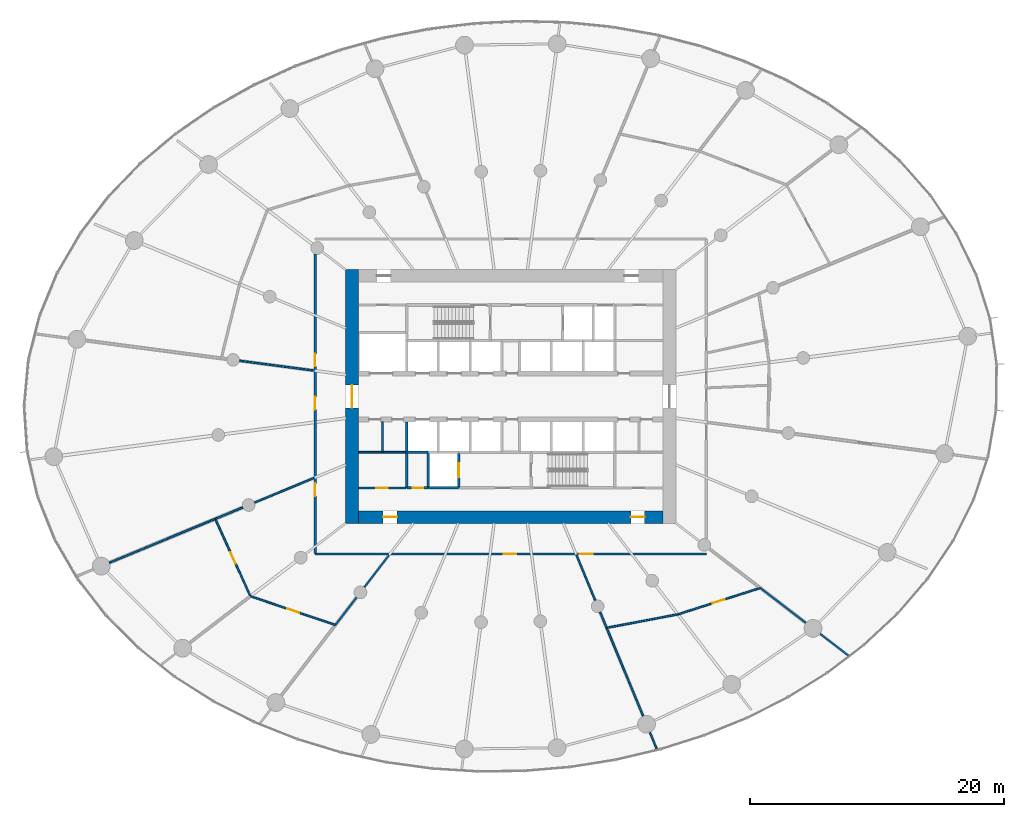
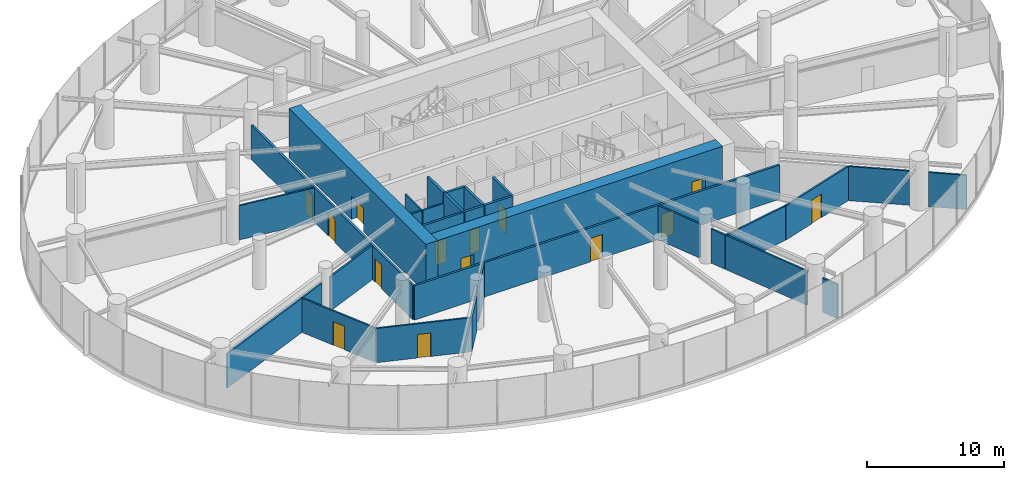
# One storey, part 12 of 19: 31 walls, 14 doors, 14 openings.
"""IFC4 building model written with IfcOpenShell, lengths in metres."""

from ifc_helpers import new_model, si_unit, direction, frame, frame_2d, origin, place, context, subcontext, project, spatial, rectangle, extrude, source, transform, mapped, material, layer, layer_set, type_object, element, fill, save


model = new_model("IFC4")

# Units and contexts
model_context = context("Model", 3, precision=1e-05, world=origin(), true_north=direction((0.0, 1.0)))
body_context = subcontext(model_context, "Body", "Model", "MODEL_VIEW")
ifc_project = project(units=[si_unit("LENGTHUNIT", "METRE"), si_unit("AREAUNIT", "SQUARE_METRE"), si_unit("VOLUMEUNIT", "CUBIC_METRE"), si_unit("PLANEANGLEUNIT", "RADIAN"), si_unit("MASSUNIT", "GRAM", prefix="KILO")], contexts=[model_context])

# Site, building, storey
site_placement = place(None, origin())
site = spatial("IfcSite", under=ifc_project, at=site_placement, CompositionType="ELEMENT")
building_placement = place(site_placement, origin())
building = spatial("IfcBuilding", under=site, at=building_placement, Name="Spindrift Exchange Tower", CompositionType="ELEMENT")
storey_placement = place(building_placement, frame((0.0, 0.0, 31.39990234375)))
storey = spatial("IfcBuildingStorey", under=building, at=storey_placement, Name="L07", CompositionType="ELEMENT", Elevation=31.39990234375)

# Wall, opening, door
ifc_material_1 = material(Name="Concrete 80 MPa", Category="concrete")
ifc_layer_1 = layer(ifc_material_1, 1.0)
ifc_layer_set_1 = layer_set([ifc_layer_1], Name="RC Core Wall 1000 Concrete 80 MPa")
wall_type_1 = type_object("IfcWallType", Name="RC Core Wall 1000 Concrete 80 MPa", PredefinedType="SHEAR", material=ifc_layer_set_1)
wall_1_placement = place(storey_placement, frame((39.5, 58.0, 0.0), z_axis=(0.0, 0.0, 1.0), x_axis=(0.0, -1.0, 0.0)))
wall_1 = element("IfcWall", 1, at=wall_1_placement, inside=storey, type_object=wall_type_1, Name="Core wall W L07", PredefinedType="SHEAR", context=body_context, shape_type="SweptSolid", body=[
    extrude(rectangle(XDim=20.0, YDim=1.0, at=frame_2d((10.0, 0.0))), origin(), (0.0, 0.0, 1.0), 4.400146484375),
])
opening_1_placement = place(wall_1_placement, frame((9.10009765625, 0.0, 0.0)))
opening_1 = element("IfcOpeningElement", 2, at=opening_1_placement, cuts=wall_1, Name="Opening L07-D1", PredefinedType="OPENING", context=body_context, shape_type="SweptSolid", body=[
    extrude(rectangle(XDim=1.800048828125, YDim=2.10009765625, at=frame_2d((0.89990234375, 1.050048828125))), frame((0.0, 0.510009765625, 0.0), z_axis=(0.0, -1.0, 0.0), x_axis=(1.0, 0.0, 0.0)), (0.0, 0.0, 1.0), 1.02001953125),
])
ifc_material_2 = material(Name="Timber-core fire door", Category="wood")
door_type_1 = type_object("IfcDoorType", Name="DR-LOBBY-1800", OperationType="NOTDEFINED", PredefinedType="DOOR", material=ifc_material_2)
shared_shape_1 = source(origin(), body_context, "Body", "SweptSolid", [
    extrude(rectangle(XDim=1.800048828125, YDim=2.10009765625, at=frame_2d((0.89990234375, 1.050048828125))), frame((0.0, 0.02490234375, 0.0), z_axis=(0.0, -1.0, 0.0), x_axis=(1.0, 0.0, 0.0)), (0.0, 0.0, 1.0), 0.050048828125),
])
door_1_placement = place(opening_1_placement, origin())
door_1 = element("IfcDoor", 3, at=door_1_placement, inside=storey, type_object=door_type_1, Name="L07 Lobby door 1", OperationType="SINGLE_SWING_LEFT", OverallHeight=2.10009765625, OverallWidth=1.800048828125, PredefinedType="DOOR", context=body_context, shape_type="MappedRepresentation", body=[
    mapped(shared_shape_1, transform((0.0, 0.0, 0.0), scale=1.0)),
])
fill(opening_1, door_1)

# Wall, openings, doors
wall_2_placement = place(storey_placement, frame((40.0, 38.5, 0.0), z_axis=(0.0, 0.0, 1.0), x_axis=(1.0, 0.0, 0.0)))
wall_2 = element("IfcWall", 4, at=wall_2_placement, inside=storey, type_object=wall_type_1, Name="Core wall S L07", PredefinedType="SHEAR", context=body_context, shape_type="SweptSolid", body=[
    extrude(rectangle(XDim=24.0, YDim=1.0, at=frame_2d((12.0, 0.0))), origin(), (0.0, 0.0, 1.0), 4.400146484375),
])
opening_2_placement = place(wall_2_placement, frame((21.449951171875, 0.0, 0.0)))
opening_2 = element("IfcOpeningElement", 5, at=opening_2_placement, cuts=wall_2, Name="Opening L07-D22", PredefinedType="OPENING", context=body_context, shape_type="SweptSolid", body=[
    extrude(rectangle(XDim=1.10009765625, YDim=2.10009765625, at=frame_2d((0.550048828125, 1.050048828125))), frame((0.0, 0.510009765625, 0.0), z_axis=(0.0, -1.0, 0.0), x_axis=(1.0, 0.0, 0.0)), (0.0, 0.0, 1.0), 1.02001953125),
])
opening_3_placement = place(wall_2_placement, frame((1.949951171875, 0.0, 0.0)))
opening_3 = element("IfcOpeningElement", 6, at=opening_3_placement, cuts=wall_2, Name="Opening L07-D23", PredefinedType="OPENING", context=body_context, shape_type="SweptSolid", body=[
    extrude(rectangle(XDim=1.10009765625, YDim=2.10009765625, at=frame_2d((0.550048828125, 1.050048828125))), frame((0.0, 0.510009765625, 0.0), z_axis=(0.0, -1.0, 0.0), x_axis=(1.0, 0.0, 0.0)), (0.0, 0.0, 1.0), 1.02001953125),
])
ifc_material_3 = material(Name="Steel fire door", Category="steel")
door_type_2 = type_object("IfcDoorType", Name="DR-STAIR-1100", OperationType="NOTDEFINED", PredefinedType="DOOR", material=ifc_material_3)
shared_shape_2 = source(origin(), body_context, "Body", "SweptSolid", [
    extrude(rectangle(XDim=1.10009765625, YDim=2.10009765625, at=frame_2d((0.550048828125, 1.050048828125))), frame((0.0, 0.02490234375, 0.0), z_axis=(0.0, -1.0, 0.0), x_axis=(1.0, 0.0, 0.0)), (0.0, 0.0, 1.0), 0.050048828125),
])
door_2_placement = place(opening_2_placement, origin())
door_2 = element("IfcDoor", 7, at=door_2_placement, inside=storey, type_object=door_type_2, Name="L07 Stair door 22", OperationType="SINGLE_SWING_RIGHT", OverallHeight=2.10009765625, OverallWidth=1.10009765625, PredefinedType="DOOR", context=body_context, shape_type="MappedRepresentation", body=[
    mapped(shared_shape_2, transform((0.0, 0.0, 0.0), scale=1.0)),
])
fill(opening_2, door_2)
door_3_placement = place(opening_3_placement, origin())
door_3 = element("IfcDoor", 8, at=door_3_placement, inside=storey, type_object=door_type_2, Name="L07 Stair door 23", OperationType="SINGLE_SWING_LEFT", OverallHeight=2.10009765625, OverallWidth=1.10009765625, PredefinedType="DOOR", context=body_context, shape_type="MappedRepresentation", body=[
    mapped(shared_shape_2, transform((0.0, 0.0, 0.0), scale=1.0)),
])
fill(opening_3, door_3)

# Wall, opening, door
ifc_material_4 = material(Name="Fire-rated plasterboard partition", Category="gypsum")
ifc_layer_2 = layer(ifc_material_4, 0.179931640625)
ifc_layer_set_2 = layer_set([ifc_layer_2], Name="W-CORR-180")
wall_type_2 = type_object("IfcWallType", Name="W-CORR-180", PredefinedType="PARTITIONING", material=ifc_layer_set_2)
wall_3_placement = place(storey_placement, frame((40.02001953125, 40.800048828125, 0.0), z_axis=(0.0, 0.0, 1.0), x_axis=(1.0, 0.0, 0.0)))
wall_3 = element("IfcWall", 9, at=wall_3_placement, inside=storey, type_object=wall_type_2, Name="L07 Partition wall 61", PredefinedType="PARTITIONING", context=body_context, shape_type="SweptSolid", body=[
    extrude(rectangle(XDim=3.75, YDim=0.179931640625, at=frame_2d((1.875, 0.0))), origin(), (0.0, 0.0, 1.0), 3.9501953125),
])
opening_4_placement = place(wall_3_placement, frame((1.39990234375, 0.0, 0.0)))
opening_4 = element("IfcOpeningElement", 10, at=opening_4_placement, cuts=wall_3, Name="Opening L07-D44", PredefinedType="OPENING", context=body_context, shape_type="SweptSolid", body=[
    extrude(rectangle(XDim=0.89990234375, YDim=2.10009765625, at=frame_2d((0.449951171875, 1.050048828125))), frame((0.0, 0.099853515625, 0.0), z_axis=(0.0, -1.0, 0.0), x_axis=(1.0, 0.0, 0.0)), (0.0, 0.0, 1.0), 0.199951171875),
])
ifc_material_5 = material(Name="Steel access door", Category="steel")
door_type_3 = type_object("IfcDoorType", Name="DR-RISER-900", OperationType="NOTDEFINED", PredefinedType="DOOR", material=ifc_material_5)
shared_shape_3 = source(origin(), body_context, "Body", "SweptSolid", [
    extrude(rectangle(XDim=0.89990234375, YDim=2.10009765625, at=frame_2d((0.449951171875, 1.050048828125))), frame((0.0, 0.02490234375, 0.0), z_axis=(0.0, -1.0, 0.0), x_axis=(1.0, 0.0, 0.0)), (0.0, 0.0, 1.0), 0.050048828125),
])
door_4_placement = place(opening_4_placement, origin())
door_4 = element("IfcDoor", 11, at=door_4_placement, inside=storey, type_object=door_type_3, Name="L07 Riser door 44", OperationType="SINGLE_SWING_RIGHT", OverallHeight=2.10009765625, OverallWidth=0.89990234375, PredefinedType="DOOR", context=body_context, shape_type="MappedRepresentation", body=[
    mapped(shared_shape_3, transform((0.0, 0.0, 0.0), scale=1.0)),
])
fill(opening_4, door_4)

# Walls
ifc_layer_3 = layer(ifc_material_4, 0.139892578125)
ifc_layer_set_3 = layer_set([ifc_layer_3], Name="W-PART-140")
wall_type_3 = type_object("IfcWallType", Name="W-PART-140", PredefinedType="PARTITIONING", material=ifc_layer_set_3)
wall_4_placement = place(storey_placement, frame((28.732666015625, 38.3623046875, 0.0), z_axis=(0.0, 0.0, 1.0), x_axis=(-0.923883179435, -0.382674627794, 0.0)))
element("IfcWall", 12, at=wall_4_placement, inside=storey, type_object=wall_type_3, Name="L07 Partition wall 67", PredefinedType="PARTITIONING", context=body_context, shape_type="SweptSolid", body=[
    extrude(rectangle(XDim=9.0166015625, YDim=0.139892578125, at=frame_2d((4.50830078125, 0.0))), origin(), (0.0, 0.0, 1.0), 3.050048828125),
])
wall_5_placement = place(storey_placement, frame((59.54638671875, 29.78125, 0.0), z_axis=(0.0, 0.0, 1.0), x_axis=(0.382684835198, -0.923878951438, 0.0)))
element("IfcWall", 13, at=wall_5_placement, inside=storey, type_object=wall_type_3, Name="L07 Partition wall 69", PredefinedType="PARTITIONING", context=body_context, shape_type="SweptSolid", body=[
    extrude(rectangle(XDim=7.51025390625, YDim=0.139892578125, at=frame_2d((3.755126953125, 0.0))), origin(), (0.0, 0.0, 1.0), 3.050048828125),
])

# Wall, opening, door
wall_6_placement = place(storey_placement, frame((38.192626953125, 30.006103515625, 0.0), z_axis=(0.0, 0.0, 1.0), x_axis=(-0.947190130732, 0.320672506219, 0.0)))
wall_6 = element("IfcWall", 14, at=wall_6_placement, inside=storey, type_object=wall_type_3, Name="L07 Partition wall 72", PredefinedType="PARTITIONING", context=body_context, shape_type="SweptSolid", body=[
    extrude(rectangle(XDim=7.063720703125, YDim=0.139892578125, at=frame_2d((3.53173828125, 0.0))), origin(), (0.0, 0.0, 1.0), 3.050048828125),
])
opening_5_placement = place(wall_6_placement, frame((3.013916015625, 0.0, 0.0)))
opening_5 = element("IfcOpeningElement", 15, at=opening_5_placement, cuts=wall_6, Name="Opening L07-D38", PredefinedType="OPENING", context=body_context, shape_type="SweptSolid", body=[
    extrude(rectangle(XDim=1.0, YDim=2.10009765625, at=frame_2d((0.5, 1.050048828125))), frame((0.0, 0.079833984375, 0.0), z_axis=(0.0, -1.0, 0.0), x_axis=(1.0, 0.0, 0.0)), (0.0, 0.0, 1.0), 0.159912109375),
])
door_type_4 = type_object("IfcDoorType", Name="DR-ROOM-1000", OperationType="NOTDEFINED", PredefinedType="DOOR", material=ifc_material_2)
shared_shape_4 = source(origin(), body_context, "Body", "SweptSolid", [
    extrude(rectangle(XDim=1.0, YDim=2.10009765625, at=frame_2d((0.5, 1.050048828125))), frame((0.0, 0.02490234375, 0.0), z_axis=(0.0, -1.0, 0.0), x_axis=(1.0, 0.0, 0.0)), (0.0, 0.0, 1.0), 0.050048828125),
])
door_5_placement = place(opening_5_placement, origin())
door_5 = element("IfcDoor", 16, at=door_5_placement, inside=storey, type_object=door_type_4, Name="L07 Door 38", OperationType="SINGLE_SWING_RIGHT", OverallHeight=2.10009765625, OverallWidth=1.0, PredefinedType="DOOR", context=body_context, shape_type="MappedRepresentation", body=[
    mapped(shared_shape_4, transform((0.0, 0.0, 0.0), scale=1.0)),
])
fill(opening_5, door_5)

wall_7_placement = place(storey_placement, frame((31.489501953125, 32.298583984375, 0.0), z_axis=(0.0, 0.0, 1.0), x_axis=(-0.413875066619, 0.910333691144, 0.0)))
wall_7 = element("IfcWall", 17, at=wall_7_placement, inside=storey, type_object=wall_type_3, Name="L07 Partition wall 76", PredefinedType="PARTITIONING", context=body_context, shape_type="SweptSolid", body=[
    extrude(rectangle(XDim=6.630859375, YDim=0.139892578125, at=frame_2d((3.3154296875, 0.0))), origin(), (0.0, 0.0, 1.0), 3.050048828125),
])
opening_6_placement = place(wall_7_placement, frame((2.781005859375, 0.0, 0.0)))
opening_6 = element("IfcOpeningElement", 18, at=opening_6_placement, cuts=wall_7, Name="Opening L07-D37", PredefinedType="OPENING", context=body_context, shape_type="SweptSolid", body=[
    extrude(rectangle(XDim=1.0, YDim=2.10009765625, at=frame_2d((0.5, 1.050048828125))), frame((0.0, 0.079833984375, 0.0), z_axis=(0.0, -1.0, 0.0), x_axis=(1.0, 0.0, 0.0)), (0.0, 0.0, 1.0), 0.159912109375),
])
door_6_placement = place(opening_6_placement, origin())
door_6 = element("IfcDoor", 19, at=door_6_placement, inside=storey, type_object=door_type_4, Name="L07 Door 37", OperationType="SINGLE_SWING_LEFT", OverallHeight=2.10009765625, OverallWidth=1.0, PredefinedType="DOOR", context=body_context, shape_type="MappedRepresentation", body=[
    mapped(shared_shape_4, transform((0.0, 0.0, 0.0), scale=1.0)),
])
fill(opening_6, door_6)

# Walls
wall_8_placement = place(storey_placement, frame((36.510009765625, 41.583740234375, 0.0), z_axis=(0.0, 0.0, 1.0), x_axis=(-0.923890025086, -0.382658100067, 0.0)))
element("IfcWall", 20, at=wall_8_placement, inside=storey, type_object=wall_type_3, Name="L07 Partition wall 89", PredefinedType="PARTITIONING", context=body_context, shape_type="SweptSolid", body=[
    extrude(rectangle(XDim=5.068359375, YDim=0.139892578125, at=frame_2d((2.5341796875, 0.0))), origin(), (0.0, 0.0, 1.0), 3.050048828125),
])
wall_9_placement = place(storey_placement, frame((71.66748046875, 32.908447265625, 0.0), z_axis=(0.0, 0.0, 1.0), x_axis=(0.793390880135, -0.608712503009, 0.0)))
element("IfcWall", 21, at=wall_9_placement, inside=storey, type_object=wall_type_3, Name="L07 Partition wall 92", PredefinedType="PARTITIONING", context=body_context, shape_type="SweptSolid", body=[
    extrude(rectangle(XDim=4.50537109375, YDim=0.139892578125, at=frame_2d((2.252685546875, 0.0))), origin(), (0.0, 0.0, 1.0), 3.050048828125),
])
wall_10_placement = place(storey_placement, frame((42.416015625, 35.510009765625, 0.0), z_axis=(0.0, 0.0, 1.0), x_axis=(-0.60874605662, -0.793365135703, 0.0)))
element("IfcWall", 22, at=wall_10_placement, inside=storey, type_object=wall_type_3, Name="L07 Partition wall 101", PredefinedType="PARTITIONING", context=body_context, shape_type="SweptSolid", body=[
    extrude(rectangle(XDim=3.193603515625, YDim=0.139892578125, at=frame_2d((1.5966796875, 0.0))), origin(), (0.0, 0.0, 1.0), 3.050048828125),
])
wall_11_placement = place(storey_placement, frame((76.359375, 29.30859375, 0.0), z_axis=(0.0, 0.0, 1.0), x_axis=(0.793282017179, -0.608854367826, 0.0)))
element("IfcWall", 23, at=wall_11_placement, inside=storey, type_object=wall_type_3, Name="L07 Partition wall 102", PredefinedType="PARTITIONING", context=body_context, shape_type="SweptSolid", body=[
    extrude(rectangle(XDim=2.811767578125, YDim=0.139892578125, at=frame_2d((1.40576171875, 0.0))), origin(), (0.0, 0.0, 1.0), 3.050048828125),
])
wall_12_placement = place(storey_placement, frame((39.85791015625, 32.176025390625, 0.0), z_axis=(0.0, 0.0, 1.0), x_axis=(-0.608785764782, -0.793334666202, 0.0)))
element("IfcWall", 24, at=wall_12_placement, inside=storey, type_object=wall_type_3, Name="L07 Partition wall 103", PredefinedType="PARTITIONING", context=body_context, shape_type="SweptSolid", body=[
    extrude(rectangle(XDim=2.705322265625, YDim=0.139892578125, at=frame_2d((1.3525390625, 0.0))), origin(), (0.0, 0.0, 1.0), 3.050048828125),
])
wall_13_placement = place(storey_placement, frame((41.89990234375, 43.60009765625, 0.0), z_axis=(0.0, 0.0, 1.0), x_axis=(0.0, 1.0, 0.0)))
element("IfcWall", 25, at=wall_13_placement, inside=storey, type_object=wall_type_3, Name="L07 Partition wall 106", PredefinedType="PARTITIONING", context=body_context, shape_type="SweptSolid", body=[
    extrude(rectangle(XDim=2.389892578125, YDim=0.139892578125, at=frame_2d((1.19482421875, 0.0))), origin(), (0.0, 0.0, 1.0), 3.050048828125),
])
wall_14_placement = place(storey_placement, frame((30.89404296875, 39.2578125, 0.0), z_axis=(0.0, 0.0, 1.0), x_axis=(-0.923850624014, -0.382753216196, 0.0)))
element("IfcWall", 26, at=wall_14_placement, inside=storey, type_object=wall_type_3, Name="L07 Partition wall 108", PredefinedType="PARTITIONING", context=body_context, shape_type="SweptSolid", body=[
    extrude(rectangle(XDim=2.3095703125, YDim=0.139892578125, at=frame_2d((1.15478515625, 0.0))), origin(), (0.0, 0.0, 1.0), 3.050048828125),
])
wall_15_placement = place(storey_placement, frame((43.77001953125, 43.60009765625, 0.0), z_axis=(0.0, 0.0, 1.0), x_axis=(-1.0, 0.0, 0.0)))
element("IfcWall", 27, at=wall_15_placement, inside=storey, type_object=wall_type_3, Name="L07 Partition wall 109", PredefinedType="PARTITIONING", context=body_context, shape_type="SweptSolid", body=[
    extrude(rectangle(XDim=1.840087890625, YDim=0.139892578125, at=frame_2d((0.919921875, 0.0))), origin(), (0.0, 0.0, 1.0), 3.050048828125),
])
wall_16_placement = place(storey_placement, frame((41.8701171875, 43.60009765625, 0.0), z_axis=(0.0, 0.0, 1.0), x_axis=(-1.0, 0.0, 0.0)))
element("IfcWall", 28, at=wall_16_placement, inside=storey, type_object=wall_type_3, Name="L07 Partition wall 111", PredefinedType="PARTITIONING", context=body_context, shape_type="SweptSolid", body=[
    extrude(rectangle(XDim=1.85009765625, YDim=0.139892578125, at=frame_2d((0.925048828125, 0.0))), origin(), (0.0, 0.0, 1.0), 3.050048828125),
])
wall_17_placement = place(storey_placement, frame((62.960205078125, 21.5400390625, 0.0), z_axis=(0.0, 0.0, 1.0), x_axis=(0.382579541027, -0.923922558869, 0.0)))
element("IfcWall", 29, at=wall_17_placement, inside=storey, type_object=wall_type_3, Name="L07 Partition wall 116", PredefinedType="PARTITIONING", context=body_context, shape_type="SweptSolid", body=[
    extrude(rectangle(XDim=1.388671875, YDim=0.139892578125, at=frame_2d((0.6943359375, 0.0))), origin(), (0.0, 0.0, 1.0), 3.050048828125),
])

# Wall, opening, door
ifc_layer_4 = layer(ifc_material_4, 0.139892578125)
ifc_layer_set_4 = layer_set([ifc_layer_4], Name="W-PLANT-140")
wall_type_4 = type_object("IfcWallType", Name="W-PLANT-140", PredefinedType="PARTITIONING", material=ifc_layer_set_4)
wall_18_placement = place(storey_placement, frame((71.643798828125, 32.9267578125, 0.0), z_axis=(0.0, 0.0, 1.0), x_axis=(-0.952001311543, -0.306093944436, 0.0)))
wall_18 = element("IfcWall", 30, at=wall_18_placement, inside=storey, type_object=wall_type_4, Name="L07 Partition wall 75", PredefinedType="PARTITIONING", context=body_context, shape_type="SweptSolid", body=[
    extrude(rectangle(XDim=6.805908203125, YDim=0.139892578125, at=frame_2d((3.40283203125, 0.0))), origin(), (0.0, 0.0, 1.0), 3.050048828125),
])
opening_7_placement = place(wall_18_placement, frame((2.955810546875, 0.0, 0.0)))
opening_7 = element("IfcOpeningElement", 31, at=opening_7_placement, cuts=wall_18, Name="Opening L07-D41", PredefinedType="OPENING", context=body_context, shape_type="SweptSolid", body=[
    extrude(rectangle(XDim=1.0, YDim=2.10009765625, at=frame_2d((0.5, 1.050048828125))), frame((0.0, 0.079833984375, 0.0), z_axis=(0.0, -1.0, 0.0), x_axis=(1.0, 0.0, 0.0)), (0.0, 0.0, 1.0), 0.159912109375),
])
door_7_placement = place(opening_7_placement, origin())
door_7 = element("IfcDoor", 32, at=door_7_placement, inside=storey, type_object=door_type_4, Name="L07 Door 41", OperationType="SINGLE_SWING_LEFT", OverallHeight=2.10009765625, OverallWidth=1.0, PredefinedType="DOOR", context=body_context, shape_type="MappedRepresentation", body=[
    mapped(shared_shape_4, transform((0.0, 0.0, 0.0), scale=1.0)),
])
fill(opening_7, door_7)

# Walls
wall_19_placement = place(storey_placement, frame((36.510009765625, 50.039306640625, 0.0), z_axis=(0.0, 0.0, 1.0), x_axis=(-0.991445034615, 0.130524876315, 0.0)))
element("IfcWall", 33, at=wall_19_placement, inside=storey, type_object=wall_type_4, Name="L07 Partition wall 82", PredefinedType="PARTITIONING", context=body_context, shape_type="SweptSolid", body=[
    extrude(rectangle(XDim=5.923828125, YDim=0.139892578125, at=frame_2d((2.9619140625, 0.0))), origin(), (0.0, 0.0, 1.0), 3.050048828125),
])
wall_20_placement = place(storey_placement, frame((59.61669921875, 29.794677734375, 0.0), z_axis=(0.0, 0.0, 1.0), x_axis=(0.982595988328, 0.185755548296, 0.0)))
element("IfcWall", 34, at=wall_20_placement, inside=storey, type_object=wall_type_4, Name="L07 Partition wall 84", PredefinedType="PARTITIONING", context=body_context, shape_type="SweptSolid", body=[
    extrude(rectangle(XDim=5.615966796875, YDim=0.139892578125, at=frame_2d((2.80810546875, 0.0))), origin(), (0.0, 0.0, 1.0), 3.050048828125),
])
wall_21_placement = place(storey_placement, frame((57.173583984375, 35.510009765625, 0.0), z_axis=(0.0, 0.0, 1.0), x_axis=(0.382644558062, -0.923895633817, 0.0)))
element("IfcWall", 35, at=wall_21_placement, inside=storey, type_object=wall_type_4, Name="L07 Partition wall 97", PredefinedType="PARTITIONING", context=body_context, shape_type="SweptSolid", body=[
    extrude(rectangle(XDim=3.854248046875, YDim=0.139892578125, at=frame_2d((1.92724609375, 0.0))), origin(), (0.0, 0.0, 1.0), 3.050048828125),
])
wall_22_placement = place(storey_placement, frame((59.034912109375, 31.015869140625, 0.0), z_axis=(0.0, 0.0, 1.0), x_axis=(0.382769952813, -0.923843689822, 0.0)))
element("IfcWall", 36, at=wall_22_placement, inside=storey, type_object=wall_type_4, Name="L07 Partition wall 119", PredefinedType="PARTITIONING", context=body_context, shape_type="SweptSolid", body=[
    extrude(rectangle(XDim=1.30615234375, YDim=0.139892578125, at=frame_2d((0.653076171875, 0.0))), origin(), (0.0, 0.0, 1.0), 3.050048828125),
])

# Wall, openings, doors
ifc_layer_5 = layer(ifc_material_4, 0.179931640625)
ifc_layer_set_5 = layer_set([ifc_layer_5], Name="W-PLANT-180")
wall_type_5 = type_object("IfcWallType", Name="W-PLANT-180", PredefinedType="PARTITIONING", material=ifc_layer_set_5)
wall_23_placement = place(storey_placement, frame((67.39990234375, 35.60009765625, 0.0), z_axis=(0.0, 0.0, 1.0), x_axis=(-1.0, 0.0, 0.0)))
wall_23 = element("IfcWall", 37, at=wall_23_placement, inside=storey, type_object=wall_type_5, Name="L07 Partition wall 57", PredefinedType="PARTITIONING", context=body_context, shape_type="SweptSolid", body=[
    extrude(rectangle(XDim=30.7998046875, YDim=0.179931640625, at=frame_2d((15.39990234375, 0.0))), origin(), (0.0, 0.0, 1.0), 3.050048828125),
])
opening_8_placement = place(wall_23_placement, frame((14.949951171875, 0.0, 0.0)))
opening_8 = element("IfcOpeningElement", 38, at=opening_8_placement, cuts=wall_23, Name="Opening L07-D39", PredefinedType="OPENING", context=body_context, shape_type="SweptSolid", body=[
    extrude(rectangle(XDim=1.0, YDim=2.10009765625, at=frame_2d((0.5, 1.050048828125))), frame((0.0, 0.099853515625, 0.0), z_axis=(0.0, -1.0, 0.0), x_axis=(1.0, 0.0, 0.0)), (0.0, 0.0, 1.0), 0.199951171875),
])
opening_9_placement = place(wall_23_placement, frame((8.949951171875, 0.0, 0.0)))
opening_9 = element("IfcOpeningElement", 39, at=opening_9_placement, cuts=wall_23, Name="Opening L07-D40", PredefinedType="OPENING", context=body_context, shape_type="SweptSolid", body=[
    extrude(rectangle(XDim=1.0, YDim=2.10009765625, at=frame_2d((0.5, 1.050048828125))), frame((0.0, 0.099853515625, 0.0), z_axis=(0.0, -1.0, 0.0), x_axis=(1.0, 0.0, 0.0)), (0.0, 0.0, 1.0), 0.199951171875),
])
door_8_placement = place(opening_8_placement, origin())
door_8 = element("IfcDoor", 40, at=door_8_placement, inside=storey, type_object=door_type_4, Name="L07 Door 39", OperationType="SINGLE_SWING_LEFT", OverallHeight=2.10009765625, OverallWidth=1.0, PredefinedType="DOOR", context=body_context, shape_type="MappedRepresentation", body=[
    mapped(shared_shape_4, transform((0.0, 0.0, 0.0), scale=1.0)),
])
fill(opening_8, door_8)
door_9_placement = place(opening_9_placement, origin())
door_9 = element("IfcDoor", 41, at=door_9_placement, inside=storey, type_object=door_type_4, Name="L07 Door 40", OperationType="SINGLE_SWING_RIGHT", OverallHeight=2.10009765625, OverallWidth=1.0, PredefinedType="DOOR", context=body_context, shape_type="MappedRepresentation", body=[
    mapped(shared_shape_4, transform((0.0, 0.0, 0.0), scale=1.0)),
])
fill(opening_9, door_9)

wall_24_placement = place(storey_placement, frame((36.60009765625, 35.6298828125, 0.0), z_axis=(0.0, 0.0, 1.0), x_axis=(0.0, 1.0, 0.0)))
wall_24 = element("IfcWall", 42, at=wall_24_placement, inside=storey, type_object=wall_type_5, Name="L07 Partition wall 60", PredefinedType="PARTITIONING", context=body_context, shape_type="SweptSolid", body=[
    extrude(rectangle(XDim=23.58251953125, YDim=0.179931640625, at=frame_2d((11.791259765625, 0.0))), origin(), (0.0, 0.0, 1.0), 3.050048828125),
])
opening_10_placement = place(wall_24_placement, frame((14.732421875, 0.0, 0.0)))
opening_10 = element("IfcOpeningElement", 43, at=opening_10_placement, cuts=wall_24, Name="Opening L07-D33", PredefinedType="OPENING", context=body_context, shape_type="SweptSolid", body=[
    extrude(rectangle(XDim=1.0, YDim=2.10009765625, at=frame_2d((0.5, 1.050048828125))), frame((0.0, 0.099853515625, 0.0), z_axis=(0.0, -1.0, 0.0), x_axis=(1.0, 0.0, 0.0)), (0.0, 0.0, 1.0), 0.199951171875),
])
opening_11_placement = place(wall_24_placement, frame((11.33251953125, 0.0, 0.0)))
opening_11 = element("IfcOpeningElement", 44, at=opening_11_placement, cuts=wall_24, Name="Opening L07-D35", PredefinedType="OPENING", context=body_context, shape_type="SweptSolid", body=[
    extrude(rectangle(XDim=1.0, YDim=2.10009765625, at=frame_2d((0.5, 1.050048828125))), frame((0.0, 0.099853515625, 0.0), z_axis=(0.0, -1.0, 0.0), x_axis=(1.0, 0.0, 0.0)), (0.0, 0.0, 1.0), 0.199951171875),
])
opening_12_placement = place(wall_24_placement, frame((4.532470703125, 0.0, 0.0)))
opening_12 = element("IfcOpeningElement", 45, at=opening_12_placement, cuts=wall_24, Name="Opening L07-D36", PredefinedType="OPENING", context=body_context, shape_type="SweptSolid", body=[
    extrude(rectangle(XDim=1.0, YDim=2.10009765625, at=frame_2d((0.5, 1.050048828125))), frame((0.0, 0.099853515625, 0.0), z_axis=(0.0, -1.0, 0.0), x_axis=(1.0, 0.0, 0.0)), (0.0, 0.0, 1.0), 0.199951171875),
])
door_10_placement = place(opening_10_placement, origin())
door_10 = element("IfcDoor", 46, at=door_10_placement, inside=storey, type_object=door_type_4, Name="L07 Door 33", OperationType="SINGLE_SWING_LEFT", OverallHeight=2.10009765625, OverallWidth=1.0, PredefinedType="DOOR", context=body_context, shape_type="MappedRepresentation", body=[
    mapped(shared_shape_4, transform((0.0, 0.0, 0.0), scale=1.0)),
])
fill(opening_10, door_10)
door_11_placement = place(opening_11_placement, origin())
door_11 = element("IfcDoor", 47, at=door_11_placement, inside=storey, type_object=door_type_4, Name="L07 Door 35", OperationType="SINGLE_SWING_LEFT", OverallHeight=2.10009765625, OverallWidth=1.0, PredefinedType="DOOR", context=body_context, shape_type="MappedRepresentation", body=[
    mapped(shared_shape_4, transform((0.0, 0.0, 0.0), scale=1.0)),
])
fill(opening_11, door_11)
door_12_placement = place(opening_12_placement, origin())
door_12 = element("IfcDoor", 48, at=door_12_placement, inside=storey, type_object=door_type_4, Name="L07 Door 36", OperationType="SINGLE_SWING_RIGHT", OverallHeight=2.10009765625, OverallWidth=1.0, PredefinedType="DOOR", context=body_context, shape_type="MappedRepresentation", body=[
    mapped(shared_shape_4, transform((0.0, 0.0, 0.0), scale=1.0)),
])
fill(opening_12, door_12)

# Walls
ifc_material_6 = material(Name="Concrete 40 MPa", Category="concrete")
ifc_layer_6 = layer(ifc_material_6, 0.199951171875)
ifc_layer_set_6 = layer_set([ifc_layer_6], Name="W-SHAFT-200")
wall_type_6 = type_object("IfcWallType", Name="W-SHAFT-200", PredefinedType="SOLIDWALL", material=ifc_layer_set_6)
for number, where, z_axis, x_axis, name in (
    (49, (43.800048828125, 43.60009765625, 0.0), (0.0, 0.0, 1.0), (0.0, -1.0, 0.0), "L07 Shaft wall 6"),
    (50, (45.5, 43.60009765625, 0.0), (0.0, 0.0, 1.0), (0.0, -1.0, 0.0), "L07 Shaft wall 7"),
):
    element("IfcWall", number, at=place(storey_placement, frame(where, z_axis=z_axis, x_axis=x_axis)), inside=storey, type_object=wall_type_6, Name=name, PredefinedType="SOLIDWALL", context=body_context, shape_type="SweptSolid", body=[
        extrude(rectangle(XDim=2.800048828125, YDim=0.199951171875, at=frame_2d((1.39990234375, 0.0))), origin(), (0.0, 0.0, 1.0), 3.9501953125),
    ])

# Wall, opening, door
wall_25_placement = place(storey_placement, frame((47.89990234375, 40.830078125, 0.0), z_axis=(0.0, 0.0, 1.0), x_axis=(0.0, 1.0, 0.0)))
wall_25 = element("IfcWall", 51, at=wall_25_placement, inside=storey, type_object=wall_type_6, Name="L07 Shaft wall 8", PredefinedType="SOLIDWALL", context=body_context, shape_type="SweptSolid", body=[
    extrude(rectangle(XDim=2.77001953125, YDim=0.199951171875, at=frame_2d((1.385009765625, 0.0))), origin(), (0.0, 0.0, 1.0), 3.9501953125),
])
opening_13_placement = place(wall_25_placement, frame((0.820068359375, 0.0, 0.0)))
opening_13 = element("IfcOpeningElement", 52, at=opening_13_placement, cuts=wall_25, Name="Opening L07-D10", PredefinedType="OPENING", context=body_context, shape_type="SweptSolid", body=[
    extrude(rectangle(XDim=1.10009765625, YDim=2.10009765625, at=frame_2d((0.550048828125, 1.050048828125))), frame((0.0, 0.10986328125, 0.0), z_axis=(0.0, -1.0, 0.0), x_axis=(1.0, 0.0, 0.0)), (0.0, 0.0, 1.0), 0.219970703125),
])
ifc_material_7 = material(Name="Stainless steel landing door", Category="steel")
door_type_5 = type_object("IfcDoorType", Name="DR-LANDING-1100-SL", OperationType="DOUBLE_DOOR_SLIDING", PredefinedType="USERDEFINED", material=ifc_material_7)
shared_shape_5 = source(origin(), body_context, "Body", "SweptSolid", [
    extrude(rectangle(XDim=1.10009765625, YDim=2.10009765625, at=frame_2d((0.550048828125, 1.050048828125))), frame((0.0, 0.02490234375, 0.0), z_axis=(0.0, -1.0, 0.0), x_axis=(1.0, 0.0, 0.0)), (0.0, 0.0, 1.0), 0.050048828125),
])
door_13_placement = place(opening_13_placement, origin())
door_13 = element("IfcDoor", 53, at=door_13_placement, inside=storey, type_object=door_type_5, Name="L07 Lift landing door 10", ObjectType="LANDING DOOR", OperationType="DOUBLE_DOOR_SLIDING", OverallHeight=2.10009765625, OverallWidth=1.10009765625, PredefinedType="USERDEFINED", context=body_context, shape_type="MappedRepresentation", body=[
    mapped(shared_shape_5, transform((0.0, 0.0, 0.0), scale=1.0)),
])
fill(opening_13, door_13)

# Walls
wall_26_placement = place(storey_placement, frame((45.530029296875, 40.800048828125, 0.0), z_axis=(0.0, 0.0, 1.0), x_axis=(1.0, 0.0, 0.0)))
element("IfcWall", 54, at=wall_26_placement, inside=storey, type_object=wall_type_6, Name="L07 Shaft wall 21", PredefinedType="SOLIDWALL", context=body_context, shape_type="SweptSolid", body=[
    extrude(rectangle(XDim=2.340087890625, YDim=0.199951171875, at=frame_2d((1.169921875, 0.0))), origin(), (0.0, 0.0, 1.0), 3.9501953125),
])
wall_27_placement = place(storey_placement, frame((43.800048828125, 45.989990234375, 0.0), z_axis=(0.0, 0.0, 1.0), x_axis=(0.0, -1.0, 0.0)))
element("IfcWall", 55, at=wall_27_placement, inside=storey, type_object=wall_type_6, Name="L07 Shaft wall 23", PredefinedType="SOLIDWALL", context=body_context, shape_type="SweptSolid", body=[
    extrude(rectangle(XDim=2.360107421875, YDim=0.199951171875, at=frame_2d((1.18017578125, 0.0))), origin(), (0.0, 0.0, 1.0), 3.9501953125),
])
wall_28_placement = place(storey_placement, frame((43.830078125, 43.60009765625, 0.0), z_axis=(0.0, 0.0, 1.0), x_axis=(1.0, 0.0, 0.0)))
element("IfcWall", 56, at=wall_28_placement, inside=storey, type_object=wall_type_6, Name="L07 Shaft wall 40", PredefinedType="SOLIDWALL", context=body_context, shape_type="SweptSolid", body=[
    extrude(rectangle(XDim=1.639892578125, YDim=0.199951171875, at=frame_2d((0.81982421875, 0.0))), origin(), (0.0, 0.0, 1.0), 3.9501953125),
])

# Wall, opening, door
wall_29_placement = place(storey_placement, frame((43.830078125, 40.800048828125, 0.0), z_axis=(0.0, 0.0, 1.0), x_axis=(1.0, 0.0, 0.0)))
wall_29 = element("IfcWall", 57, at=wall_29_placement, inside=storey, type_object=wall_type_6, Name="L07 Shaft wall 41", PredefinedType="SOLIDWALL", context=body_context, shape_type="SweptSolid", body=[
    extrude(rectangle(XDim=1.639892578125, YDim=0.199951171875, at=frame_2d((0.81982421875, 0.0))), origin(), (0.0, 0.0, 1.0), 3.9501953125),
])
opening_14_placement = place(wall_29_placement, frame((0.469970703125, 0.0, 0.0)))
opening_14 = element("IfcOpeningElement", 58, at=opening_14_placement, cuts=wall_29, Name="Opening L07-D19", PredefinedType="OPENING", context=body_context, shape_type="SweptSolid", body=[
    extrude(rectangle(XDim=0.800048828125, YDim=2.10009765625, at=frame_2d((0.39990234375, 1.050048828125))), frame((0.0, 0.10986328125, 0.0), z_axis=(0.0, -1.0, 0.0), x_axis=(1.0, 0.0, 0.0)), (0.0, 0.0, 1.0), 0.219970703125),
])
door_type_6 = type_object("IfcDoorType", Name="DR-RISER-800", OperationType="NOTDEFINED", PredefinedType="DOOR", material=ifc_material_5)
shared_shape_6 = source(origin(), body_context, "Body", "SweptSolid", [
    extrude(rectangle(XDim=0.800048828125, YDim=2.10009765625, at=frame_2d((0.39990234375, 1.050048828125))), frame((0.0, 0.02490234375, 0.0), z_axis=(0.0, -1.0, 0.0), x_axis=(1.0, 0.0, 0.0)), (0.0, 0.0, 1.0), 0.050048828125),
])
door_14_placement = place(opening_14_placement, origin())
door_14 = element("IfcDoor", 59, at=door_14_placement, inside=storey, type_object=door_type_6, Name="L07 Riser door 19", OperationType="SINGLE_SWING_LEFT", OverallHeight=2.10009765625, OverallWidth=0.800048828125, PredefinedType="DOOR", context=body_context, shape_type="MappedRepresentation", body=[
    mapped(shared_shape_6, transform((0.0, 0.0, 0.0), scale=1.0)),
])
fill(opening_14, door_14)

save(model, "model.ifc")
